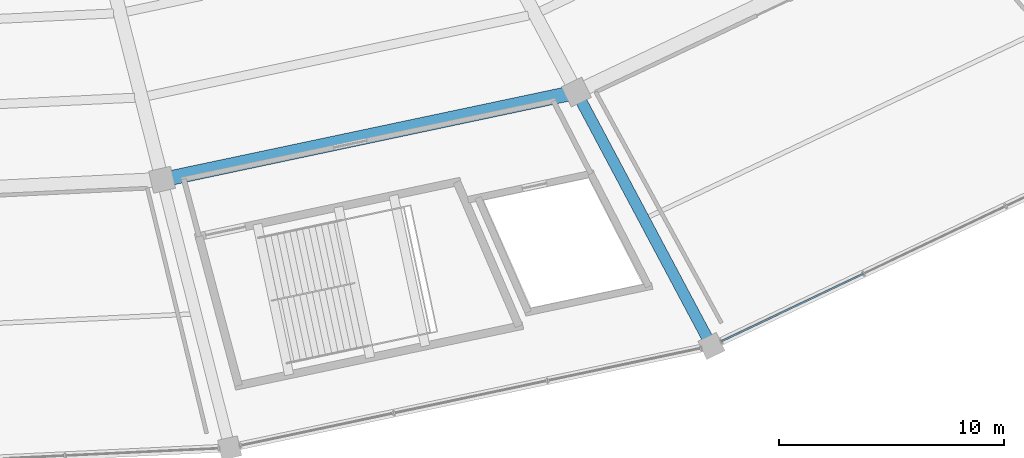
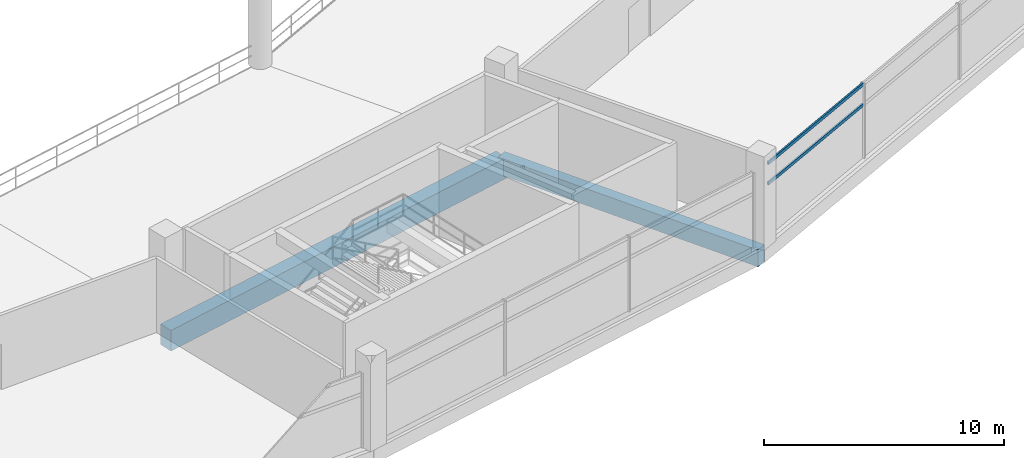
# One storey, part 52 of 171: 2 beams, 2 members, 1 element without a shape of its own.
"""IFC4 building model written with IfcOpenShell, lengths in metres."""

from ifc_helpers import new_model, si_unit, direction, frame, origin, origin_2d, place, context, subcontext, project, spatial, rectangle, hollow_rectangle, extrude, material, layer, layer_set, material_profile, profile_set, type_object, element, aggregate, save


model = new_model("IFC4")

# Units and contexts
model_context = context("Model", 3, precision=1e-05, world=origin(), true_north=direction((0.0, 1.0)))
body_context = subcontext(model_context, "Body", "Model", "MODEL_VIEW")
ifc_project = project(units=[si_unit("LENGTHUNIT", "METRE"), si_unit("AREAUNIT", "SQUARE_METRE"), si_unit("VOLUMEUNIT", "CUBIC_METRE"), si_unit("PLANEANGLEUNIT", "RADIAN"), si_unit("MASSUNIT", "GRAM", prefix="KILO")], contexts=[model_context])

# Site, building, storey
site_placement = place(None, origin())
site = spatial("IfcSite", under=ifc_project, at=site_placement, CompositionType="ELEMENT")
building_placement = place(site_placement, origin())
building = spatial("IfcBuilding", under=site, at=building_placement, Name="Kazemori Nagisa Stadium", CompositionType="ELEMENT")
storey_placement = place(building_placement, frame((0.0, 0.0, 15.639892578125)))
storey = spatial("IfcBuildingStorey", under=building, at=storey_placement, Name="L03", CompositionType="ELEMENT", Elevation=15.639892578125)

# Beams
ifc_material_1 = material(Name="Concrete C40/50 (Fc42)", Category="concrete")
ifc_material_profile_1 = material_profile(ifc_material_1, rectangle(XDim=0.5, YDim=0.85009765625, at=origin_2d()), Name="RC-BM-500x850")
ifc_profile_set_1 = profile_set([ifc_material_profile_1], Name="Concrete C40/50 (Fc42)")
beam_type_1 = type_object("IfcBeamType", Name="Beam_BG-RC500X850", PredefinedType="BEAM", material=ifc_profile_set_1)
beam_1_placement = place(storey_placement, frame((159.81201171875, 32.80078125, -0.684814453125), z_axis=(0.469648511848, -0.882853484628, 0.0), x_axis=(0.882853484628, 0.469648511848, 0.0)))
element("IfcBeam", 1, at=beam_1_placement, inside=storey, type_object=beam_type_1, Name="Radial girder BG-RC500X850 L03 R2-R3-24", PredefinedType="BEAM", context=body_context, shape_type="SweptSolid", body=[
    extrude(rectangle(XDim=0.5, YDim=0.85009765625, at=origin_2d()), origin(), (0.0, 0.0, 1.0), 12.760009765625),
])
ifc_material_profile_2 = material_profile(ifc_material_1, rectangle(XDim=0.64990234375, YDim=1.050048828125, at=origin_2d()), Name="RC-BM-650x1050")
ifc_profile_set_2 = profile_set([ifc_material_profile_2], Name="Concrete C40/50 (Fc42)")
beam_type_2 = type_object("IfcBeamType", Name="Beam_BG-RC650X1050", PredefinedType="BEAM", material=ifc_profile_set_2)
beam_2_placement = place(storey_placement, frame((141.427734375, 28.911376953125, -0.784912109375), z_axis=(0.978345149833, 0.206980114499, 0.0), x_axis=(-0.206980114499, 0.978345149833, 0.0)))
element("IfcBeam", 2, at=beam_2_placement, inside=storey, type_object=beam_type_2, Name="Ring girder BG-RC650X1050 L03 R2-23", PredefinedType="BEAM", context=body_context, shape_type="SweptSolid", body=[
    extrude(rectangle(XDim=0.64990234375, YDim=1.050048828125, at=origin_2d()), origin(), (0.0, 0.0, 1.0), 18.791259765625),
])

# Curtain wall, members
ifc_material_2 = material(Name="Anodised aluminium 6063-T5", Category="aluminium")
ifc_layer = layer(ifc_material_2, 0.2099609375, Name="Anodised aluminium 6063-T5", Category="aluminium")
ifc_layer_set = layer_set([ifc_layer], Name="Anodised aluminium 6063-T5")
curtain_wall_type = type_object("IfcCurtainWallType", Name="CW_L03R3_105", PredefinedType="USERDEFINED", material=ifc_layer_set)
curtain_wall_placement = place(storey_placement, origin())
curtain_wall = element("IfcCurtainWall", 3, at=curtain_wall_placement, inside=storey, type_object=curtain_wall_type, Name="Unitised curtain wall CW-L03R3-105 L03", ObjectType="UNITISED CURTAIN WALL", PredefinedType="USERDEFINED")
ifc_material_3 = material(Name="Aluminium 6063-T5 anodised", Category="aluminium")
ifc_material_profile_3 = material_profile(ifc_material_3, hollow_rectangle(XDim=0.080078125, YDim=0.159912109375, WallThickness=0.00390625, at=origin_2d()), Name="ALU-TRAN-80x160x4")
ifc_profile_set_3 = profile_set([ifc_material_profile_3], Name="Aluminium 6063-T5 anodised")
member_type = type_object("IfcMemberType", Name="Transom_T02", PredefinedType="USERDEFINED", material=ifc_profile_set_3)
member_1_placement = place(storey_placement, frame((166.251708984375, 21.748291015625, 2.705322265625), z_axis=(0.903221322461, 0.429175072264, 0.0), x_axis=(-0.429175072264, 0.903221322461, 0.0)))
member_1 = element("IfcMember", 4, at=member_1_placement, type_object=member_type, Name="Curtain wall transom CW-L03R3-105-T1-mid", ObjectType="TRANSOM", PredefinedType="USERDEFINED", context=body_context, shape_type="SweptSolid", body=[
    extrude(hollow_rectangle(XDim=0.080078125, YDim=0.159912109375, WallThickness=0.00390625, at=origin_2d()), origin(), (0.0, 0.0, 1.0), 6.947998046875),
])
member_2_placement = place(storey_placement, frame((166.251708984375, 21.748291015625, 3.739990234375), z_axis=(0.903221322461, 0.429175072264, 0.0), x_axis=(-0.429175072264, 0.903221322461, 0.0)))
member_2 = element("IfcMember", 5, at=member_2_placement, type_object=member_type, Name="Curtain wall transom CW-L03R3-105-T1-head", ObjectType="TRANSOM", PredefinedType="USERDEFINED", context=body_context, shape_type="SweptSolid", body=[
    extrude(hollow_rectangle(XDim=0.080078125, YDim=0.159912109375, WallThickness=0.00390625, at=origin_2d()), origin(), (0.0, 0.0, 1.0), 6.947998046875),
])
aggregate(curtain_wall, [member_1, member_2])

save(model, "model.ifc")
